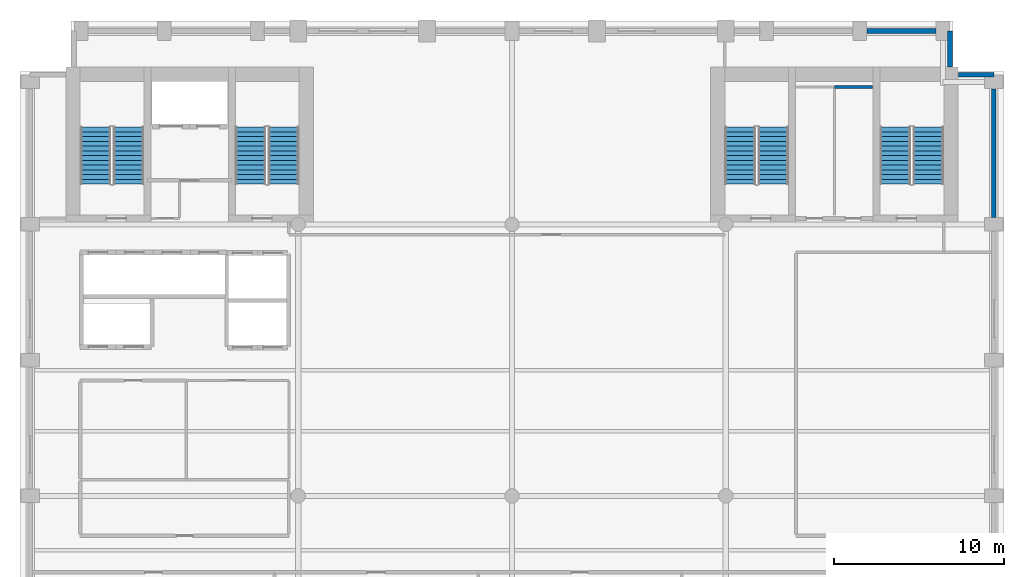
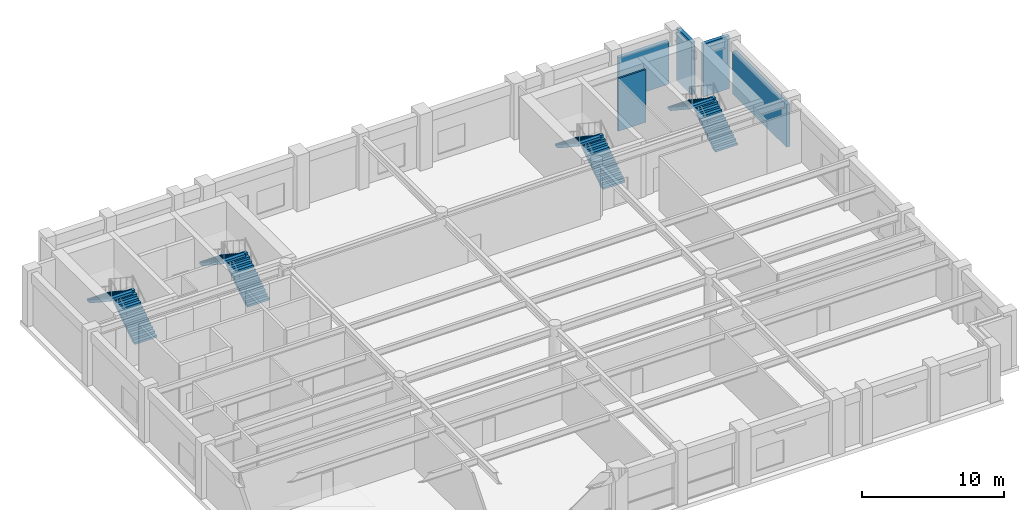
# One storey, part 7 of 10: 8 stair flights, 5 walls, 4 elements without a shape of their own.
"""IFC4 building model written with IfcOpenShell, lengths in metres."""

from ifc_helpers import new_model, si_unit, direction, frame, frame_2d, origin, place, context, subcontext, project, spatial, polyline, rectangle, outline, extrude, material, layer, layer_set, type_object, element, aggregate, save


model = new_model("IFC4")

# Units and contexts
model_context = context("Model", 3, precision=1e-05, world=origin(), true_north=direction((0.0, 1.0)))
body_context = subcontext(model_context, "Body", "Model", "MODEL_VIEW")
ifc_project = project(units=[si_unit("LENGTHUNIT", "METRE"), si_unit("AREAUNIT", "SQUARE_METRE"), si_unit("VOLUMEUNIT", "CUBIC_METRE"), si_unit("PLANEANGLEUNIT", "RADIAN"), si_unit("MASSUNIT", "GRAM", prefix="KILO")], contexts=[model_context])

# Site, building, storey
site_placement = place(None, origin())
site = spatial("IfcSite", under=ifc_project, at=site_placement, CompositionType="ELEMENT")
building_placement = place(site_placement, origin())
building = spatial("IfcBuilding", under=site, at=building_placement, Name="Sulina Concourse Tower", CompositionType="ELEMENT")
storey_placement = place(building_placement, frame((0.0, 0.0, 165.800048828125)))
storey = spatial("IfcBuildingStorey", under=building, at=storey_placement, Name="L40", CompositionType="ELEMENT", Elevation=165.800048828125)

# Walls
ifc_material_1 = material(Name="Gypsum board on steel stud", Category="steel")
ifc_layer_1 = layer(ifc_material_1, 0.14990234375)
ifc_layer_set_1 = layer_set([ifc_layer_1], Name="Gypsum board on steel stud")
wall_type_1 = type_object("IfcWallType", Name="Inter-Tenancy Acoustic Partition 150mm", PredefinedType="PARTITIONING", material=ifc_layer_set_1)
wall_1_placement = place(storey_placement, frame((48.0, 42.10009765625, 0.0), z_axis=(0.0, 0.0, 1.0), x_axis=(1.0, 0.0, 0.0)))
element("IfcWall", 1, at=wall_1_placement, inside=storey, type_object=wall_type_1, Name="L40 interior partition 018", PredefinedType="PARTITIONING", context=body_context, shape_type="SweptSolid", body=[
    extrude(rectangle(XDim=2.25, YDim=0.14990234375, at=frame_2d((1.125, 0.0))), origin(), (0.0, 0.0, 1.0), 4.52490234375),
])
ifc_material_2 = material(Name="Precast concrete C50/60", Category="concrete")
ifc_layer_2 = layer(ifc_material_2, 0.280029296875)
ifc_layer_set_2 = layer_set([ifc_layer_2], Name="Precast concrete C50/60")
wall_type_2 = type_object("IfcWallType", Name="Typical Precast Masonry-Frame Facade Wall 280mm", PredefinedType="SOLIDWALL", material=ifc_layer_set_2)
wall_2_placement = place(storey_placement, frame((49.919921875, 45.39990234375, 0.0), z_axis=(0.0, 0.0, 1.0), x_axis=(1.0, 0.0, 0.0)))
element("IfcWall", 2, at=wall_2_placement, inside=storey, type_object=wall_type_2, Name="L40 exterior precast wall N10", PredefinedType="SOLIDWALL", context=body_context, shape_type="SweptSolid", body=[
    extrude(rectangle(XDim=4.06005859375, YDim=0.280029296875, at=frame_2d((2.030029296875, 0.0))), origin(), (0.0, 0.0, 1.0), 3.675048828125),
])
wall_3_placement = place(storey_placement, frame((57.39990234375, 41.97998046875, 0.0), z_axis=(0.0, 0.0, 1.0), x_axis=(0.0, -1.0, 0.0)))
element("IfcWall", 3, at=wall_3_placement, inside=storey, type_object=wall_type_2, Name="L40 exterior precast wall E5", PredefinedType="SOLIDWALL", context=body_context, shape_type="SweptSolid", body=[
    extrude(rectangle(XDim=7.56005859375, YDim=0.280029296875, at=frame_2d((3.780029296875, 0.0))), origin(), (0.0, 0.0, 1.0), 3.675048828125),
])
wall_4_placement = place(storey_placement, frame((54.820068359375, 45.39990234375, 0.0), z_axis=(0.0, 0.0, 1.0), x_axis=(0.0, -1.0, 0.0)))
element("IfcWall", 4, at=wall_4_placement, inside=storey, type_object=wall_type_2, Name="L40 exterior precast wall CNE1", PredefinedType="SOLIDWALL", context=body_context, shape_type="SweptSolid", body=[
    extrude(rectangle(XDim=2.114990234375, YDim=0.280029296875, at=frame_2d((1.0576171875, 0.0))), origin(), (0.0, 0.0, 1.0), 4.52490234375),
])
wall_5_placement = place(storey_placement, frame((55.304931640625, 42.820068359375, 0.0), z_axis=(0.0, 0.0, 1.0), x_axis=(1.0, 0.0, 0.0)))
element("IfcWall", 5, at=wall_5_placement, inside=storey, type_object=wall_type_2, Name="L40 exterior precast wall CNE2", PredefinedType="SOLIDWALL", context=body_context, shape_type="SweptSolid", body=[
    extrude(rectangle(XDim=2.094970703125, YDim=0.280029296875, at=frame_2d((1.04736328125, 0.0))), origin(), (0.0, 0.0, 1.0), 4.52490234375),
])

# Stair, stair flights
ifc_material_3 = material(Name="Concrete C50/60", Category="concrete")
stair_type_1 = type_object("IfcStairType", Name="Portal & Podium Core Exit Stair 1820mm", PredefinedType="HALF_TURN_STAIR", material=ifc_material_3)
stair_1_placement = place(storey_placement, origin())
stair_1 = element("IfcStair", 6, at=stair_1_placement, inside=storey, type_object=stair_type_1, Name="L40 ST-3", PredefinedType="HALF_TURN_STAIR")
ifc_material_4 = material(Name="Concrete C50/60", Category="concrete")
stair_flight_type_1 = type_object("IfcStairFlightType", Name="Portal & Podium Core Exit Stair 1820mm Flight", PredefinedType="STRAIGHT", material=ifc_material_4)
stair_flight_1_placement = place(storey_placement, frame((44.405029296875, 36.375, 0.0), z_axis=(0.0, 0.0, 1.0), x_axis=(0.0, 1.0, 0.0)))
stair_flight_1 = element("IfcStairFlight", 7, at=stair_flight_1_placement, type_object=stair_flight_type_1, Name="ST-3 flight 1", NumberOfRisers=13, NumberOfTreads=12, PredefinedType="STRAIGHT", RiserHeight=0.184615385, TreadLength=0.28, context=body_context, shape_type="SweptSolid", body=[
    extrude(outline(polyline([(0.0, 0.0), (0.0, 0.1845703125), (0.280029296875, 0.1845703125), (0.280029296875, 0.369140625), (0.56005859375, 0.369140625), (0.56005859375, 0.553955078125), (0.840087890625, 0.553955078125), (0.840087890625, 0.738525390625), (1.1201171875, 0.738525390625), (1.1201171875, 0.923095703125), (1.39990234375, 0.923095703125), (1.39990234375, 1.107666015625), (1.679931640625, 1.107666015625), (1.679931640625, 1.292236328125), (1.9599609375, 1.292236328125), (1.9599609375, 1.476806640625), (2.239990234375, 1.476806640625), (2.239990234375, 1.66162109375), (2.52001953125, 1.66162109375), (2.52001953125, 1.84619140625), (2.800048828125, 1.84619140625), (2.800048828125, 2.03076171875), (3.080078125, 2.03076171875), (3.080078125, 2.21533203125), (3.360107421875, 2.21533203125), (3.360107421875, 2.39990234375), (3.360107421875, 1.999755859375), (0.326904296875, 0.0), (0.0, 0.0)])), frame((0.0, 0.89990234375, 0.0), z_axis=(0.0, -1.0, 0.0), x_axis=(1.0, 0.0, 0.0)), (0.0, 0.0, 1.0), 1.800048828125),
])
stair_flight_2_placement = place(storey_placement, frame((42.455078125, 39.735107421875, 2.39990234375), z_axis=(0.0, 0.0, 1.0), x_axis=(0.0, -1.0, 0.0)))
stair_flight_2 = element("IfcStairFlight", 8, at=stair_flight_2_placement, type_object=stair_flight_type_1, Name="ST-3 flight 2", NumberOfRisers=13, NumberOfTreads=12, PredefinedType="STRAIGHT", RiserHeight=0.184615385, TreadLength=0.28, context=body_context, shape_type="SweptSolid", body=[
    extrude(outline(polyline([(0.0, 0.0), (0.0, 0.1845703125), (0.280029296875, 0.1845703125), (0.280029296875, 0.369140625), (0.56005859375, 0.369140625), (0.56005859375, 0.553955078125), (0.840087890625, 0.553955078125), (0.840087890625, 0.738525390625), (1.1201171875, 0.738525390625), (1.1201171875, 0.923095703125), (1.39990234375, 0.923095703125), (1.39990234375, 1.107666015625), (1.679931640625, 1.107666015625), (1.679931640625, 1.292236328125), (1.9599609375, 1.292236328125), (1.9599609375, 1.476806640625), (2.239990234375, 1.476806640625), (2.239990234375, 1.66162109375), (2.52001953125, 1.66162109375), (2.52001953125, 1.84619140625), (2.800048828125, 1.84619140625), (2.800048828125, 2.03076171875), (3.080078125, 2.03076171875), (3.080078125, 2.21533203125), (3.360107421875, 2.21533203125), (3.360107421875, 2.39990234375), (3.360107421875, 1.999755859375), (0.326904296875, 0.0), (0.0, 0.0)])), frame((0.0, 0.89990234375, 0.0), z_axis=(0.0, -1.0, 0.0), x_axis=(1.0, 0.0, 0.0)), (0.0, 0.0, 1.0), 1.800048828125),
])
aggregate(stair_1, [stair_flight_1, stair_flight_2])

stair_2_placement = place(storey_placement, origin())
stair_2 = element("IfcStair", 9, at=stair_2_placement, inside=storey, type_object=stair_type_1, Name="L40 ST-4", PredefinedType="HALF_TURN_STAIR")
stair_flight_3_placement = place(storey_placement, frame((53.544921875, 36.375, 0.0), z_axis=(0.0, 0.0, 1.0), x_axis=(0.0, 1.0, 0.0)))
stair_flight_3 = element("IfcStairFlight", 10, at=stair_flight_3_placement, type_object=stair_flight_type_1, Name="ST-4 flight 1", NumberOfRisers=13, NumberOfTreads=12, PredefinedType="STRAIGHT", RiserHeight=0.184615385, TreadLength=0.28, context=body_context, shape_type="SweptSolid", body=[
    extrude(outline(polyline([(0.0, 0.0), (0.0, 0.1845703125), (0.280029296875, 0.1845703125), (0.280029296875, 0.369140625), (0.56005859375, 0.369140625), (0.56005859375, 0.553955078125), (0.840087890625, 0.553955078125), (0.840087890625, 0.738525390625), (1.1201171875, 0.738525390625), (1.1201171875, 0.923095703125), (1.39990234375, 0.923095703125), (1.39990234375, 1.107666015625), (1.679931640625, 1.107666015625), (1.679931640625, 1.292236328125), (1.9599609375, 1.292236328125), (1.9599609375, 1.476806640625), (2.239990234375, 1.476806640625), (2.239990234375, 1.66162109375), (2.52001953125, 1.66162109375), (2.52001953125, 1.84619140625), (2.800048828125, 1.84619140625), (2.800048828125, 2.03076171875), (3.080078125, 2.03076171875), (3.080078125, 2.21533203125), (3.360107421875, 2.21533203125), (3.360107421875, 2.39990234375), (3.360107421875, 1.999755859375), (0.326904296875, 0.0), (0.0, 0.0)])), frame((0.0, 0.89990234375, 0.0), z_axis=(0.0, -1.0, 0.0), x_axis=(1.0, 0.0, 0.0)), (0.0, 0.0, 1.0), 1.800048828125),
])
stair_flight_4_placement = place(storey_placement, frame((51.594970703125, 39.735107421875, 2.39990234375), z_axis=(0.0, 0.0, 1.0), x_axis=(0.0, -1.0, 0.0)))
stair_flight_4 = element("IfcStairFlight", 11, at=stair_flight_4_placement, type_object=stair_flight_type_1, Name="ST-4 flight 2", NumberOfRisers=13, NumberOfTreads=12, PredefinedType="STRAIGHT", RiserHeight=0.184615385, TreadLength=0.28, context=body_context, shape_type="SweptSolid", body=[
    extrude(outline(polyline([(0.0, 0.0), (0.0, 0.1845703125), (0.280029296875, 0.1845703125), (0.280029296875, 0.369140625), (0.56005859375, 0.369140625), (0.56005859375, 0.553955078125), (0.840087890625, 0.553955078125), (0.840087890625, 0.738525390625), (1.1201171875, 0.738525390625), (1.1201171875, 0.923095703125), (1.39990234375, 0.923095703125), (1.39990234375, 1.107666015625), (1.679931640625, 1.107666015625), (1.679931640625, 1.292236328125), (1.9599609375, 1.292236328125), (1.9599609375, 1.476806640625), (2.239990234375, 1.476806640625), (2.239990234375, 1.66162109375), (2.52001953125, 1.66162109375), (2.52001953125, 1.84619140625), (2.800048828125, 1.84619140625), (2.800048828125, 2.03076171875), (3.080078125, 2.03076171875), (3.080078125, 2.21533203125), (3.360107421875, 2.21533203125), (3.360107421875, 2.39990234375), (3.360107421875, 1.999755859375), (0.326904296875, 0.0), (0.0, 0.0)])), frame((0.0, 0.89990234375, 0.0), z_axis=(0.0, -1.0, 0.0), x_axis=(1.0, 0.0, 0.0)), (0.0, 0.0, 1.0), 1.800048828125),
])
aggregate(stair_2, [stair_flight_3, stair_flight_4])

ifc_material_5 = material(Name="Concrete C50/60", Category="concrete")
stair_type_2 = type_object("IfcStairType", Name="Primary Core Dog-Leg Exit Stair 1800mm", PredefinedType="HALF_TURN_STAIR", material=ifc_material_5)
stair_3_placement = place(storey_placement, origin())
stair_3 = element("IfcStair", 12, at=stair_3_placement, inside=storey, type_object=stair_type_2, Name="L40 ST-1", PredefinedType="HALF_TURN_STAIR")
ifc_material_6 = material(Name="Concrete C50/60", Category="concrete")
stair_flight_type_2 = type_object("IfcStairFlightType", Name="Primary Core Dog-Leg Exit Stair 1800mm Flight", PredefinedType="STRAIGHT", material=ifc_material_6)
stair_flight_5_placement = place(storey_placement, frame((6.405029296875, 36.375, 0.0), z_axis=(0.0, 0.0, 1.0), x_axis=(0.0, 1.0, 0.0)))
stair_flight_5 = element("IfcStairFlight", 13, at=stair_flight_5_placement, type_object=stair_flight_type_2, Name="ST-1 flight 1", NumberOfRisers=13, NumberOfTreads=12, PredefinedType="STRAIGHT", RiserHeight=0.184615385, TreadLength=0.28, context=body_context, shape_type="SweptSolid", body=[
    extrude(outline(polyline([(0.0, 0.0), (0.0, 0.1845703125), (0.280029296875, 0.1845703125), (0.280029296875, 0.369140625), (0.56005859375, 0.369140625), (0.56005859375, 0.553955078125), (0.840087890625, 0.553955078125), (0.840087890625, 0.738525390625), (1.1201171875, 0.738525390625), (1.1201171875, 0.923095703125), (1.39990234375, 0.923095703125), (1.39990234375, 1.107666015625), (1.679931640625, 1.107666015625), (1.679931640625, 1.292236328125), (1.9599609375, 1.292236328125), (1.9599609375, 1.476806640625), (2.239990234375, 1.476806640625), (2.239990234375, 1.66162109375), (2.52001953125, 1.66162109375), (2.52001953125, 1.84619140625), (2.800048828125, 1.84619140625), (2.800048828125, 2.03076171875), (3.080078125, 2.03076171875), (3.080078125, 2.21533203125), (3.360107421875, 2.21533203125), (3.360107421875, 2.39990234375), (3.360107421875, 1.999755859375), (0.326904296875, 0.0), (0.0, 0.0)])), frame((0.0, 0.89990234375, 0.0), z_axis=(0.0, -1.0, 0.0), x_axis=(1.0, 0.0, 0.0)), (0.0, 0.0, 1.0), 1.800048828125),
])
stair_flight_6_placement = place(storey_placement, frame((4.455078125, 39.735107421875, 2.39990234375), z_axis=(0.0, 0.0, 1.0), x_axis=(0.0, -1.0, 0.0)))
stair_flight_6 = element("IfcStairFlight", 14, at=stair_flight_6_placement, type_object=stair_flight_type_2, Name="ST-1 flight 2", NumberOfRisers=13, NumberOfTreads=12, PredefinedType="STRAIGHT", RiserHeight=0.184615385, TreadLength=0.28, context=body_context, shape_type="SweptSolid", body=[
    extrude(outline(polyline([(0.0, 0.0), (0.0, 0.1845703125), (0.280029296875, 0.1845703125), (0.280029296875, 0.369140625), (0.56005859375, 0.369140625), (0.56005859375, 0.553955078125), (0.840087890625, 0.553955078125), (0.840087890625, 0.738525390625), (1.1201171875, 0.738525390625), (1.1201171875, 0.923095703125), (1.39990234375, 0.923095703125), (1.39990234375, 1.107666015625), (1.679931640625, 1.107666015625), (1.679931640625, 1.292236328125), (1.9599609375, 1.292236328125), (1.9599609375, 1.476806640625), (2.239990234375, 1.476806640625), (2.239990234375, 1.66162109375), (2.52001953125, 1.66162109375), (2.52001953125, 1.84619140625), (2.800048828125, 1.84619140625), (2.800048828125, 2.03076171875), (3.080078125, 2.03076171875), (3.080078125, 2.21533203125), (3.360107421875, 2.21533203125), (3.360107421875, 2.39990234375), (3.360107421875, 1.999755859375), (0.326904296875, 0.0), (0.0, 0.0)])), frame((0.0, 0.89990234375, 0.0), z_axis=(0.0, -1.0, 0.0), x_axis=(1.0, 0.0, 0.0)), (0.0, 0.0, 1.0), 1.800048828125),
])
aggregate(stair_3, [stair_flight_5, stair_flight_6])

stair_4_placement = place(storey_placement, origin())
stair_4 = element("IfcStair", 15, at=stair_4_placement, inside=storey, type_object=stair_type_2, Name="L40 ST-2", PredefinedType="HALF_TURN_STAIR")
stair_flight_7_placement = place(storey_placement, frame((15.544921875, 36.375, 0.0), z_axis=(0.0, 0.0, 1.0), x_axis=(0.0, 1.0, 0.0)))
stair_flight_7 = element("IfcStairFlight", 16, at=stair_flight_7_placement, type_object=stair_flight_type_2, Name="ST-2 flight 1", NumberOfRisers=13, NumberOfTreads=12, PredefinedType="STRAIGHT", RiserHeight=0.184615385, TreadLength=0.28, context=body_context, shape_type="SweptSolid", body=[
    extrude(outline(polyline([(0.0, 0.0), (0.0, 0.1845703125), (0.280029296875, 0.1845703125), (0.280029296875, 0.369140625), (0.56005859375, 0.369140625), (0.56005859375, 0.553955078125), (0.840087890625, 0.553955078125), (0.840087890625, 0.738525390625), (1.1201171875, 0.738525390625), (1.1201171875, 0.923095703125), (1.39990234375, 0.923095703125), (1.39990234375, 1.107666015625), (1.679931640625, 1.107666015625), (1.679931640625, 1.292236328125), (1.9599609375, 1.292236328125), (1.9599609375, 1.476806640625), (2.239990234375, 1.476806640625), (2.239990234375, 1.66162109375), (2.52001953125, 1.66162109375), (2.52001953125, 1.84619140625), (2.800048828125, 1.84619140625), (2.800048828125, 2.03076171875), (3.080078125, 2.03076171875), (3.080078125, 2.21533203125), (3.360107421875, 2.21533203125), (3.360107421875, 2.39990234375), (3.360107421875, 1.999755859375), (0.326904296875, 0.0), (0.0, 0.0)])), frame((0.0, 0.89990234375, 0.0), z_axis=(0.0, -1.0, 0.0), x_axis=(1.0, 0.0, 0.0)), (0.0, 0.0, 1.0), 1.800048828125),
])
stair_flight_8_placement = place(storey_placement, frame((13.594970703125, 39.735107421875, 2.39990234375), z_axis=(0.0, 0.0, 1.0), x_axis=(0.0, -1.0, 0.0)))
stair_flight_8 = element("IfcStairFlight", 17, at=stair_flight_8_placement, type_object=stair_flight_type_2, Name="ST-2 flight 2", NumberOfRisers=13, NumberOfTreads=12, PredefinedType="STRAIGHT", RiserHeight=0.184615385, TreadLength=0.28, context=body_context, shape_type="SweptSolid", body=[
    extrude(outline(polyline([(0.0, 0.0), (0.0, 0.1845703125), (0.280029296875, 0.1845703125), (0.280029296875, 0.369140625), (0.56005859375, 0.369140625), (0.56005859375, 0.553955078125), (0.840087890625, 0.553955078125), (0.840087890625, 0.738525390625), (1.1201171875, 0.738525390625), (1.1201171875, 0.923095703125), (1.39990234375, 0.923095703125), (1.39990234375, 1.107666015625), (1.679931640625, 1.107666015625), (1.679931640625, 1.292236328125), (1.9599609375, 1.292236328125), (1.9599609375, 1.476806640625), (2.239990234375, 1.476806640625), (2.239990234375, 1.66162109375), (2.52001953125, 1.66162109375), (2.52001953125, 1.84619140625), (2.800048828125, 1.84619140625), (2.800048828125, 2.03076171875), (3.080078125, 2.03076171875), (3.080078125, 2.21533203125), (3.360107421875, 2.21533203125), (3.360107421875, 2.39990234375), (3.360107421875, 1.999755859375), (0.326904296875, 0.0), (0.0, 0.0)])), frame((0.0, 0.89990234375, 0.0), z_axis=(0.0, -1.0, 0.0), x_axis=(1.0, 0.0, 0.0)), (0.0, 0.0, 1.0), 1.800048828125),
])
aggregate(stair_4, [stair_flight_7, stair_flight_8])

save(model, "model.ifc")
